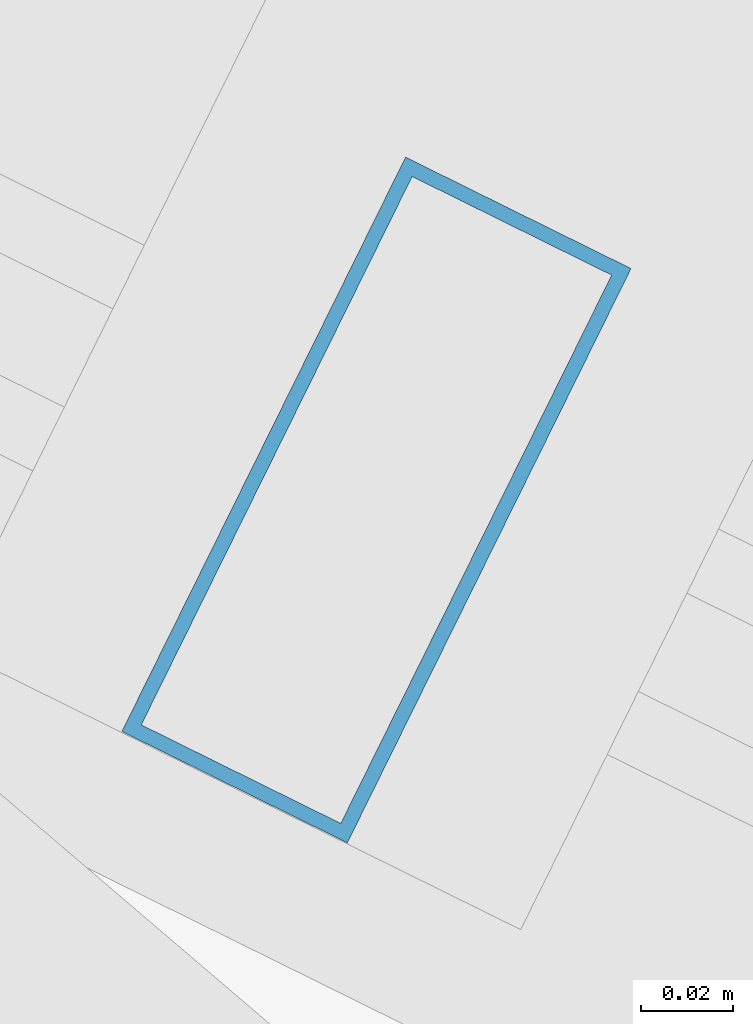
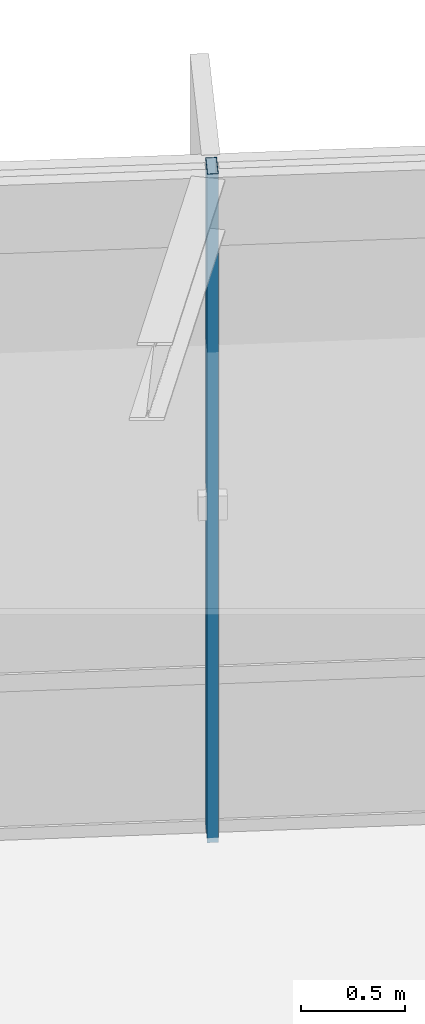
# One storey, part 71 of 114: 1 member, 1 element without a shape of its own.
"""IFC4 building model written with IfcOpenShell, lengths in metres."""

from ifc_helpers import new_model, si_unit, direction, frame, origin, origin_2d, place, context, subcontext, project, spatial, hollow_rectangle, extrude, material, material_profile, profile_set, type_object, element, aggregate, save


model = new_model("IFC4")

# Units and contexts
model_context = context("Model", 3, precision=1e-05, world=origin(), true_north=direction((0.0, 1.0)))
body_context = subcontext(model_context, "Body", "Model", "MODEL_VIEW")
ifc_project = project(units=[si_unit("LENGTHUNIT", "METRE"), si_unit("AREAUNIT", "SQUARE_METRE"), si_unit("VOLUMEUNIT", "CUBIC_METRE"), si_unit("PLANEANGLEUNIT", "RADIAN"), si_unit("MASSUNIT", "GRAM", prefix="KILO"), si_unit("THERMODYNAMICTEMPERATUREUNIT", "KELVIN"), si_unit("POWERUNIT", "WATT")], contexts=[model_context])

# Site, building, storey
site_placement = place(None, origin())
site = spatial("IfcSite", under=ifc_project, at=site_placement, CompositionType="ELEMENT")
building_placement = place(site_placement, origin())
building = spatial("IfcBuilding", under=site, at=building_placement, Name="Darbajah Civic Hall", CompositionType="ELEMENT")
storey_placement = place(building_placement, frame((0.0, 0.0, 13.800048828125)))
storey = spatial("IfcBuildingStorey", under=building, at=storey_placement, Name="L03", CompositionType="ELEMENT", Elevation=13.800048828125)

# Curtain wall, member
ifc_material_1 = material(Name="Anodised Bronze Aluminium and Low-E Glazing", Category="aluminium")
curtain_wall_type = type_object("IfcCurtainWallType", Name="Unitised Curtain Wall CW-56 12900x3900", PredefinedType="USERDEFINED", material=ifc_material_1)
curtain_wall_placement = place(storey_placement, origin())
curtain_wall = element("IfcCurtainWall", 1, at=curtain_wall_placement, inside=storey, type_object=curtain_wall_type, Name="L03 unitised curtain wall CW-V1O-L03-02", ObjectType="UNITISED CURTAIN WALL", PredefinedType="USERDEFINED")
ifc_material_2 = material(Name="Anodised Bronze Aluminium", Category="aluminium")
ifc_material_profile = material_profile(ifc_material_2, hollow_rectangle(XDim=0.054931640625, YDim=0.139892578125, WallThickness=0.003173828125, at=origin_2d()), Name="ALU MULLION 55x140")
ifc_profile_set = profile_set([ifc_material_profile], Name="Anodised Bronze Aluminium")
member_type = type_object("IfcMemberType", Name="ALU MULLION 55x140", PredefinedType="MULLION", material=ifc_profile_set)
member_placement = place(storey_placement, frame((121.814208984375, 111.955810546875, 0.0), z_axis=(0.0, 0.0, 1.0), x_axis=(-0.89656374724, 0.442914717678, 0.0)))
member = element("IfcMember", 2, at=member_placement, type_object=member_type, Name="CW-V1O-L03-02 mullion 3", PredefinedType="MULLION", context=body_context, shape_type="SweptSolid", body=[
    extrude(hollow_rectangle(XDim=0.054931640625, YDim=0.139892578125, WallThickness=0.003173828125, at=origin_2d()), origin(), (0.0, 0.0, 1.0), 3.919921875),
])
aggregate(curtain_wall, [member])

save(model, "model.ifc")
